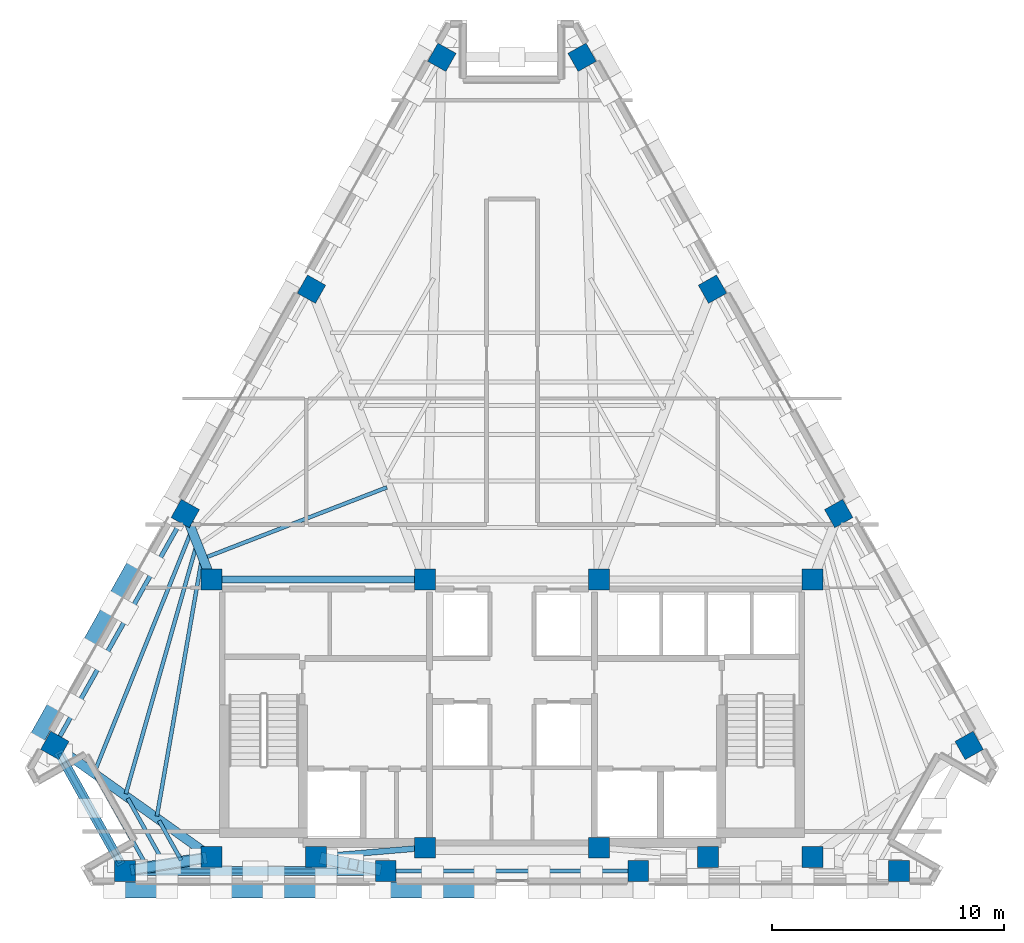
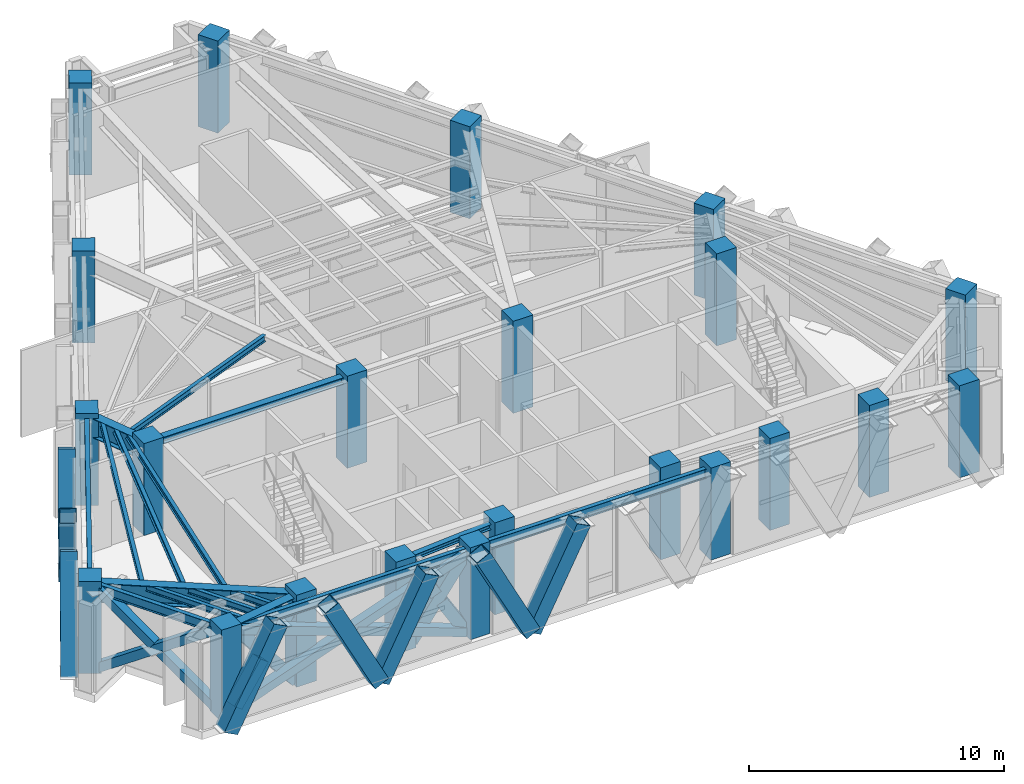
# One storey, part 1 of 11: 22 columns, 20 members, 16 beams.
"""IFC4 building model written with IfcOpenShell, lengths in metres."""

from ifc_helpers import new_model, si_unit, direction, frame, origin, origin_2d, place, context, subcontext, project, spatial, rectangle, hollow_rectangle, i_section, extrude, material, material_profile, profile_set, type_object, element, save


model = new_model("IFC4")

# Units and contexts
model_context = context("Model", 3, precision=1e-05, world=origin(), true_north=direction((0.0, 1.0)))
body_context = subcontext(model_context, "Body", "Model", "MODEL_VIEW")
ifc_project = project(units=[si_unit("LENGTHUNIT", "METRE"), si_unit("AREAUNIT", "SQUARE_METRE"), si_unit("VOLUMEUNIT", "CUBIC_METRE"), si_unit("PLANEANGLEUNIT", "RADIAN"), si_unit("MASSUNIT", "GRAM", prefix="KILO")], contexts=[model_context])

# Site, building, storey
site_placement = place(None, origin())
site = spatial("IfcSite", under=ifc_project, at=site_placement, CompositionType="ELEMENT")
building_placement = place(site_placement, origin())
building = spatial("IfcBuilding", under=site, at=building_placement, Name="Quenlor Broadcast Tower", CompositionType="ELEMENT")
storey_placement = place(building_placement, frame((0.0, 0.0, 179.0)))
storey = spatial("IfcBuildingStorey", under=building, at=storey_placement, Name="L49", CompositionType="ELEMENT", Elevation=179.0)

# Columns
ifc_material_1 = material(Name="Concrete C50/60", Category="concrete")
ifc_material_profile_1 = material_profile(ifc_material_1, rectangle(XDim=0.89990234375, YDim=0.89990234375, at=origin_2d()))
ifc_profile_set_1 = profile_set([ifc_material_profile_1], Name="Concrete C50/60 RC900x900")
column_type_1 = type_object("IfcColumnType", Name="Core Corner Column Upper Concrete C50/60 900", PredefinedType="COLUMN", material=ifc_profile_set_1)
for number, where, z_axis, x_axis, name in (
    (1, (-12.949951171875, -16.75, 0.0), (0.0, 0.0, 1.0), (1.0, 0.0, 0.0), "L49 Core Column CC1"),
    (2, (-8.449951171875, -16.75, 0.0), (0.0, 0.0, 1.0), (1.0, 0.0, 0.0), "L49 Core Column CC2"),
    (3, (-3.75, -16.35009765625, 0.0), (0.0, 0.0, 1.0), (1.0, 0.0, 0.0), "L49 Core Column CC3"),
    (4, (3.75, -16.35009765625, 0.0), (0.0, 0.0, 1.0), (1.0, 0.0, 0.0), "L49 Core Column CC4"),
    (5, (8.449951171875, -16.75, 0.0), (0.0, 0.0, 1.0), (1.0, 0.0, 0.0), "L49 Core Column CC5"),
    (6, (12.949951171875, -16.75, 0.0), (0.0, 0.0, 1.0), (1.0, 0.0, 0.0), "L49 Core Column CC6"),
    (7, (-12.949951171875, -4.800048828125, 0.0), (0.0, 0.0, 1.0), (1.0, 0.0, 0.0), "L49 Core Column CC7"),
    (8, (-3.75, -4.800048828125, 0.0), (0.0, 0.0, 1.0), (1.0, 0.0, 0.0), "L49 Core Column CC8"),
    (9, (3.75, -4.800048828125, 0.0), (0.0, 0.0, 1.0), (1.0, 0.0, 0.0), "L49 Core Column CC9"),
    (10, (12.949951171875, -4.800048828125, 0.0), (0.0, 0.0, 1.0), (1.0, 0.0, 0.0), "L49 Core Column CC10"),
):
    element("IfcColumn", number, at=place(storey_placement, frame(where, z_axis=z_axis, x_axis=x_axis)), inside=storey, type_object=column_type_1, Name=name, PredefinedType="COLUMN", context=body_context, shape_type="SweptSolid", body=[
        extrude(rectangle(XDim=0.89990234375, YDim=0.89990234375, at=origin_2d()), origin(), (0.0, 0.0, 1.0), 4.39990234375),
    ])
ifc_material_2 = material(Name="Concrete C50/60", Category="concrete")
ifc_material_profile_2 = material_profile(ifc_material_2, rectangle(XDim=0.89990234375, YDim=0.89990234375, at=origin_2d()))
ifc_profile_set_2 = profile_set([ifc_material_profile_2], Name="Concrete C50/60 RC900x900")
column_type_2 = type_object("IfcColumnType", Name="Tower Perimeter Column Z4 Concrete C50/60 900", PredefinedType="COLUMN", material=ifc_profile_set_2)
for number, where, z_axis, x_axis, name in (
    (11, (-16.67578125, -17.35009765625, 0.0), (0.0, 0.0, 1.0), (0.0, 1.0, 0.0), "L49 Perimeter Column S1"),
    (12, (-5.437744140625, -17.35009765625, 0.0), (0.0, 0.0, 1.0), (0.0, 1.0, 0.0), "L49 Perimeter Column S2"),
    (13, (5.437744140625, -17.35009765625, 0.0), (0.0, 0.0, 1.0), (0.0, 1.0, 0.0), "L49 Perimeter Column S3"),
    (14, (16.67578125, -17.35009765625, 0.0), (0.0, 0.0, 1.0), (0.0, 1.0, 0.0), "L49 Perimeter Column S4"),
    (15, (19.696533203125, -11.941650390625, 0.0), (0.0, 0.0, 1.0), (0.871575139605, 0.490261946333, 0.0), "L49 Perimeter Column NE1"),
    (16, (14.077392578125, -1.952392578125, 0.0), (0.0, 0.0, 1.0), (0.871575139605, 0.490261946333, 0.0), "L49 Perimeter Column NE2"),
    (17, (8.6396484375, 7.71484375, 0.0), (0.0, 0.0, 1.0), (0.871575139605, 0.490261946333, 0.0), "L49 Perimeter Column NE3"),
    (18, (3.0205078125, 17.704345703125, 0.0), (0.0, 0.0, 1.0), (0.871575139605, 0.490261946333, 0.0), "L49 Perimeter Column NE4"),
    (19, (-3.0205078125, 17.704345703125, 0.0), (0.0, 0.0, 1.0), (-0.871575139605, 0.490261946333, 0.0), "L49 Perimeter Column NW1"),
    (20, (-8.6396484375, 7.71484375, 0.0), (0.0, 0.0, 1.0), (-0.871575139605, 0.490261946333, 0.0), "L49 Perimeter Column NW2"),
    (21, (-14.077392578125, -1.952392578125, 0.0), (0.0, 0.0, 1.0), (-0.871575139605, 0.490261946333, 0.0), "L49 Perimeter Column NW3"),
    (22, (-19.696533203125, -11.941650390625, 0.0), (0.0, 0.0, 1.0), (-0.871575139605, 0.490261946333, 0.0), "L49 Perimeter Column NW4"),
):
    element("IfcColumn", number, at=place(storey_placement, frame(where, z_axis=z_axis, x_axis=x_axis)), inside=storey, type_object=column_type_2, Name=name, PredefinedType="COLUMN", context=body_context, shape_type="SweptSolid", body=[
        extrude(rectangle(XDim=0.89990234375, YDim=0.89990234375, at=origin_2d()), origin(), (0.0, 0.0, 1.0), 4.39990234375),
    ])

# Members
ifc_material_3 = material(Name="Steel S355", Category="steel")
ifc_material_profile_3 = material_profile(ifc_material_3, hollow_rectangle(XDim=0.39990234375, YDim=0.39990234375, WallThickness=0.02197265625, at=origin_2d()))
ifc_profile_set_3 = profile_set([ifc_material_profile_3], Name="Steel S355 RHS400x400x22")
member_type_1 = type_object("IfcMemberType", Name="Belt Truss Diagonal Chord Steel S355 RHS400x22", PredefinedType="CHORD", material=ifc_profile_set_3)
member_1_placement = place(storey_placement, frame((-16.255859375, -17.35009765625, 0.199951171875), z_axis=(0.941269972622, 0.0, 0.337654910583), x_axis=(0.0, 1.0, 0.0)))
element("IfcMember", 23, at=member_1_placement, inside=storey, type_object=member_type_1, Name="L49 Belt Truss Continuous Chord 1A", PredefinedType="CHORD", context=body_context, shape_type="SweptSolid", body=[
    extrude(hollow_rectangle(XDim=0.39990234375, YDim=0.39990234375, WallThickness=0.02197265625, at=origin_2d()), origin(), (0.0, 0.0, 1.0), 11.046630859375),
])
member_2_placement = place(storey_placement, frame((-16.255859375, -17.35009765625, 3.929931640625), z_axis=(0.941276009802, 0.0, -0.33763808045), x_axis=(0.0, 1.0, 0.0)))
element("IfcMember", 24, at=member_2_placement, inside=storey, type_object=member_type_1, Name="L49 Belt Truss Split Chord 1B1", PredefinedType="CHORD", context=body_context, shape_type="SweptSolid", body=[
    extrude(hollow_rectangle(XDim=0.39990234375, YDim=0.39990234375, WallThickness=0.02197265625, at=origin_2d()), origin(), (0.0, 0.0, 1.0), 5.33349609375),
])
member_3_placement = place(storey_placement, frame((-10.8779296875, -17.35009765625, 2.000732421875), z_axis=(0.941270791113, 0.0, -0.337652628891), x_axis=(0.0, 1.0, 0.0)))
element("IfcMember", 25, at=member_3_placement, inside=storey, type_object=member_type_1, Name="L49 Belt Truss Split Chord 1B2", PredefinedType="CHORD", context=body_context, shape_type="SweptSolid", body=[
    extrude(hollow_rectangle(XDim=0.39990234375, YDim=0.39990234375, WallThickness=0.02197265625, at=origin_2d()), origin(), (0.0, 0.0, 1.0), 5.333251953125),
])
member_4_placement = place(storey_placement, frame((-19.49169921875, -12.308349609375, 0.199951171875), z_axis=(0.400114582644, -0.716390289205, 0.571570882995), x_axis=(0.873058236645, 0.48761595075, 0.0)))
element("IfcMember", 26, at=member_4_placement, inside=storey, type_object=member_type_1, Name="L49 Belt Truss Continuous Chord 12A", PredefinedType="CHORD", context=body_context, shape_type="SweptSolid", body=[
    extrude(hollow_rectangle(XDim=0.39990234375, YDim=0.39990234375, WallThickness=0.02197265625, at=origin_2d()), origin(), (0.0, 0.0, 1.0), 6.52587890625),
])
for number, where, z_axis, x_axis, name in (
    (27, (-19.49169921875, -12.308349609375, 3.929931640625), (0.40010966598, -0.716399693832, -0.571562537144), (0.873063512561, 0.487606504298, 0.0), "L49 Belt Truss Split Chord 12B1"),
    (28, (-18.110107421875, -14.781982421875, 1.956298828125), (0.40010966598, -0.716399693832, -0.571562537144), (0.873063512561, 0.487606504298, 0.0), "L49 Belt Truss Split Chord 12B2"),
):
    element("IfcMember", number, at=place(storey_placement, frame(where, z_axis=z_axis, x_axis=x_axis)), inside=storey, type_object=member_type_1, Name=name, PredefinedType="CHORD", context=body_context, shape_type="SweptSolid", body=[
        extrude(hollow_rectangle(XDim=0.39990234375, YDim=0.39990234375, WallThickness=0.02197265625, at=origin_2d()), origin(), (0.0, 0.0, 1.0), 3.072998046875),
    ])

# Beams
ifc_material_4 = material(Name="Steel S355", Category="steel")
ifc_material_profile_4 = material_profile(ifc_material_4, i_section(OverallWidth=0.25390625, OverallDepth=0.25390625, WebThickness=0.008544921875, FlangeThickness=0.01416015625, FilletRadius=0.013916015625, at=origin_2d()))
ifc_profile_set_4 = profile_set([ifc_material_profile_4], Name="Steel S355 250UC72.9")
beam_type_1 = type_object("IfcBeamType", Name="Core Opening Lintel Beam Steel S355 250UC72.9", PredefinedType="LINTEL", material=ifc_profile_set_4)
beam_1_placement = place(storey_placement, frame((-8.09130859375, -16.719482421875, 4.023193359375), z_axis=(0.996399763903, 0.084779186679, 0.0), x_axis=(-0.084779186679, 0.996399763903, 0.0)))
element("IfcBeam", 29, at=beam_1_placement, inside=storey, type_object=beam_type_1, Name="L49 Core Opening Lintel Beam 4", PredefinedType="LINTEL", context=body_context, shape_type="SweptSolid", body=[
    extrude(i_section(OverallWidth=0.25390625, OverallDepth=0.25390625, WebThickness=0.008544921875, FlangeThickness=0.01416015625, FilletRadius=0.013916015625, at=origin_2d()), origin(), (0.0, 0.0, 1.0), 3.9970703125),
])
ifc_material_5 = material(Name="Steel S355", Category="steel")
ifc_material_profile_5 = material_profile(ifc_material_5, i_section(OverallWidth=0.306884765625, OverallDepth=0.314697265625, WebThickness=0.011962890625, FlangeThickness=0.018798828125, FilletRadius=0.0166015625, at=origin_2d()))
ifc_profile_set_5 = profile_set([ifc_material_profile_5], Name="Steel S355 310UC118")
beam_type_2 = type_object("IfcBeamType", Name="Core Tie Beam Steel S355 310UC118", PredefinedType="BEAM", material=ifc_profile_set_5)
beam_2_placement = place(storey_placement, frame((-12.590087890625, -4.800048828125, 3.99267578125), z_axis=(1.0, 0.0, 0.0), x_axis=(0.0, 1.0, 0.0)))
element("IfcBeam", 30, at=beam_2_placement, inside=storey, type_object=beam_type_2, Name="L49 Core Tie Beam 1", PredefinedType="BEAM", context=body_context, shape_type="SweptSolid", body=[
    extrude(i_section(OverallWidth=0.306884765625, OverallDepth=0.314697265625, WebThickness=0.011962890625, FlangeThickness=0.018798828125, FilletRadius=0.0166015625, at=origin_2d()), origin(), (0.0, 0.0, 1.0), 8.47998046875),
])
ifc_material_6 = material(Name="Steel S355", Category="steel")
ifc_material_profile_6 = material_profile(ifc_material_6, i_section(OverallWidth=0.39990234375, OverallDepth=0.924072265625, WebThickness=0.01611328125, FlangeThickness=0.028076171875, FilletRadius=0.01611328125, at=origin_2d()))
ifc_profile_set_6 = profile_set([ifc_material_profile_6], Name="Steel S355 900WB282")
beam_type_3 = type_object("IfcBeamType", Name="Outrigger Level Collector Girder Steel S355 900WB282", PredefinedType="BEAM", material=ifc_profile_set_6)
beam_3_placement = place(storey_placement, frame((-16.27099609375, -17.284912109375, 3.68798828125), z_axis=(0.987268490875, 0.159062650942, 0.0), x_axis=(-0.159062650942, 0.987268490875, 0.0)))
element("IfcBeam", 31, at=beam_3_placement, inside=storey, type_object=beam_type_3, Name="L49 Primary Radial Beam S1", PredefinedType="BEAM", context=body_context, shape_type="SweptSolid", body=[
    extrude(i_section(OverallWidth=0.39990234375, OverallDepth=0.924072265625, WebThickness=0.01611328125, FlangeThickness=0.028076171875, FilletRadius=0.01611328125, at=origin_2d()), origin(), (0.0, 0.0, 1.0), 2.98388671875),
])
beam_4_placement = place(storey_placement, frame((-13.926513671875, -2.33349609375, 3.68798828125), z_axis=(0.368110359783, -0.92978210513, 0.0), x_axis=(0.92978210513, 0.368110359783, 0.0)))
element("IfcBeam", 32, at=beam_4_placement, inside=storey, type_object=beam_type_3, Name="L49 Primary Radial Beam NW3", PredefinedType="BEAM", context=body_context, shape_type="SweptSolid", body=[
    extrude(i_section(OverallWidth=0.39990234375, OverallDepth=0.924072265625, WebThickness=0.01611328125, FlangeThickness=0.028076171875, FilletRadius=0.01611328125, at=origin_2d()), origin(), (0.0, 0.0, 1.0), 2.27294921875),
])
beam_5_placement = place(storey_placement, frame((-19.362548828125, -12.1796875, 3.68798828125), z_axis=(0.814329531787, -0.580402802938, 0.0), x_axis=(0.580402802938, 0.814329531787, 0.0)))
element("IfcBeam", 33, at=beam_5_placement, inside=storey, type_object=beam_type_3, Name="L49 Primary Radial Beam NW4", PredefinedType="BEAM", context=body_context, shape_type="SweptSolid", body=[
    extrude(i_section(OverallWidth=0.39990234375, OverallDepth=0.924072265625, WebThickness=0.01611328125, FlangeThickness=0.028076171875, FilletRadius=0.01611328125, at=origin_2d()), origin(), (0.0, 0.0, 1.0), 7.49462890625),
])

# Members
ifc_material_7 = material(Name="Steel S355", Category="steel")
ifc_material_profile_7 = material_profile(ifc_material_7, hollow_rectangle(XDim=0.679931640625, YDim=0.679931640625, WallThickness=0.02490234375, at=origin_2d()))
ifc_profile_set_7 = profile_set([ifc_material_profile_7], Name="Steel S355 RHS680x680x25")
member_type_2 = type_object("IfcMemberType", Name="Perimeter Diagonal Lattice Brace Z3-Z4 Steel S355 RHS680x25", PredefinedType="BRACE", material=ifc_profile_set_7)
for number, where, z_axis, x_axis, name in (
    (34, (-3.41162109375, -18.169921875, -0.1201171875), (0.456255502185, 0.0, 0.889848816781), (0.0, 1.0, 0.0), "L49 Perimeter Diamond Lattice S-C3B"),
    (35, (-3.43896484375, -18.169921875, -0.1201171875), (-0.456255502185, 0.0, 0.889848816781), (0.0, -1.0, 0.0), "L49 Perimeter Diamond Lattice S-C4S"),
    (36, (-10.261962890625, -18.169921875, -0.1201171875), (0.456255502185, 0.0, 0.889848816781), (0.0, 1.0, 0.0), "L49 Perimeter Diamond Lattice S-C4B"),
    (37, (-10.289306640625, -18.169921875, -0.1201171875), (-0.456255502185, 0.0, 0.889848816781), (0.0, -1.0, 0.0), "L49 Perimeter Diamond Lattice S-C5S"),
    (38, (-17.1123046875, -18.169921875, -0.1201171875), (0.456255502185, 0.0, 0.889848816781), (0.0, 1.0, 0.0), "L49 Perimeter Diamond Lattice S-C5B"),
):
    element("IfcMember", number, at=place(storey_placement, frame(where, z_axis=z_axis, x_axis=x_axis)), inside=storey, type_object=member_type_2, Name=name, PredefinedType="BRACE", context=body_context, shape_type="SweptSolid", body=[
        extrude(hollow_rectangle(XDim=0.679931640625, YDim=0.679931640625, WallThickness=0.02490234375, at=origin_2d()), origin(), (0.0, 0.0, 1.0), 4.94482421875),
    ])
member_5_placement = place(storey_placement, frame((-20.63916015625, -11.94482421875, -0.1201171875), z_axis=(0.227397757303, 0.404213523195, 0.885946774722), x_axis=(-0.871550060774, 0.49030652817, 0.0)))
element("IfcMember", 39, at=member_5_placement, inside=storey, type_object=member_type_2, Name="L49 Perimeter Diamond Lattice NW-C1S", PredefinedType="BRACE", context=body_context, shape_type="SweptSolid", body=[
    extrude(hollow_rectangle(XDim=0.679931640625, YDim=0.679931640625, WallThickness=0.02490234375, at=origin_2d()), origin(), (0.0, 0.0, 1.0), 4.966552734375),
])
member_6_placement = place(storey_placement, frame((-17.2236328125, -5.873046875, -0.1201171875), z_axis=(-0.227393238836, -0.40425464682, 0.885929170677), x_axis=(0.871575537125, -0.490261239633, 0.0)))
element("IfcMember", 40, at=member_6_placement, inside=storey, type_object=member_type_2, Name="L49 Perimeter Diamond Lattice NW-C1B", PredefinedType="BRACE", context=body_context, shape_type="SweptSolid", body=[
    extrude(hollow_rectangle(XDim=0.679931640625, YDim=0.679931640625, WallThickness=0.02490234375, at=origin_2d()), origin(), (0.0, 0.0, 1.0), 4.966796875),
])
member_7_placement = place(storey_placement, frame((-17.2099609375, -5.8486328125, -0.1201171875), z_axis=(0.227397757303, 0.404213523195, 0.885946774722), x_axis=(-0.871550060774, 0.49030652817, 0.0)))
element("IfcMember", 41, at=member_7_placement, inside=storey, type_object=member_type_2, Name="L49 Perimeter Diamond Lattice NW-C2S", PredefinedType="BRACE", context=body_context, shape_type="SweptSolid", body=[
    extrude(hollow_rectangle(XDim=0.679931640625, YDim=0.679931640625, WallThickness=0.02490234375, at=origin_2d()), origin(), (0.0, 0.0, 1.0), 4.966552734375),
])

# Beams
ifc_material_8 = material(Name="Steel S355", Category="steel")
ifc_material_profile_8 = material_profile(ifc_material_8, i_section(OverallWidth=0.18994140625, OverallDepth=0.453857421875, WebThickness=0.008544921875, FlangeThickness=0.0126953125, FilletRadius=0.011474609375, at=origin_2d()))
ifc_profile_set_8 = profile_set([ifc_material_profile_8], Name="Steel S355 460UB67.1")
beam_type_4 = type_object("IfcBeamType", Name="Perimeter Spandrel Beam Z4 Steel S355 460UB67.1", PredefinedType="SPANDREL", material=ifc_profile_set_8)
beam_6_placement = place(storey_placement, frame((-16.265869140625, -17.35009765625, 3.923095703125), z_axis=(1.0, 0.0, 0.0), x_axis=(0.0, 1.0, 0.0)))
element("IfcBeam", 42, at=beam_6_placement, inside=storey, type_object=beam_type_4, Name="L49 Spandrel Beam S1-S2", PredefinedType="SPANDREL", context=body_context, shape_type="SweptSolid", body=[
    extrude(i_section(OverallWidth=0.18994140625, OverallDepth=0.453857421875, WebThickness=0.008544921875, FlangeThickness=0.0126953125, FilletRadius=0.011474609375, at=origin_2d()), origin(), (0.0, 0.0, 1.0), 10.41796875),
])
beam_7_placement = place(storey_placement, frame((-5.02783203125, -17.35009765625, 3.923095703125), z_axis=(1.0, 0.0, 0.0), x_axis=(0.0, 1.0, 0.0)))
element("IfcBeam", 43, at=beam_7_placement, inside=storey, type_object=beam_type_4, Name="L49 Spandrel Beam S2-S3", PredefinedType="SPANDREL", context=body_context, shape_type="SweptSolid", body=[
    extrude(i_section(OverallWidth=0.18994140625, OverallDepth=0.453857421875, WebThickness=0.008544921875, FlangeThickness=0.0126953125, FilletRadius=0.011474609375, at=origin_2d()), origin(), (0.0, 0.0, 1.0), 10.0556640625),
])
beam_8_placement = place(storey_placement, frame((-14.2783203125, -2.3095703125, 3.923095703125), z_axis=(-0.490272131974, -0.871569410093, 0.0), x_axis=(0.871569410093, -0.490272131974, 0.0)))
element("IfcBeam", 44, at=beam_8_placement, inside=storey, type_object=beam_type_4, Name="L49 Spandrel Beam NW3-NW4", PredefinedType="SPANDREL", context=body_context, shape_type="SweptSolid", body=[
    extrude(i_section(OverallWidth=0.18994140625, OverallDepth=0.453857421875, WebThickness=0.008544921875, FlangeThickness=0.0126953125, FilletRadius=0.011474609375, at=origin_2d()), origin(), (0.0, 0.0, 1.0), 10.6416015625),
])
beam_9_placement = place(storey_placement, frame((-19.49658203125, -12.2998046875, 3.923095703125), z_axis=(0.487647250206, -0.8730407547, 0.0), x_axis=(0.8730407547, 0.487647250206, 0.0)))
element("IfcBeam", 45, at=beam_9_placement, inside=storey, type_object=beam_type_4, Name="L49 Spandrel Beam NW4-S1", PredefinedType="SPANDREL", context=body_context, shape_type="SweptSolid", body=[
    extrude(i_section(OverallWidth=0.18994140625, OverallDepth=0.453857421875, WebThickness=0.008544921875, FlangeThickness=0.0126953125, FilletRadius=0.011474609375, at=origin_2d()), origin(), (0.0, 0.0, 1.0), 5.37451171875),
])
ifc_material_9 = material(Name="Steel S355", Category="steel")
ifc_material_profile_9 = material_profile(ifc_material_9, i_section(OverallWidth=0.166015625, OverallDepth=0.30712890625, WebThickness=0.006591796875, FlangeThickness=0.01171875, FilletRadius=0.011474609375, at=origin_2d()))
ifc_profile_set_9 = profile_set([ifc_material_profile_9], Name="Steel S355 310UB46.2")
beam_type_5 = type_object("IfcBeamType", Name="Tower Composite Joist Z4-Z5 Steel S355 310UB46.2", PredefinedType="JOIST", material=ifc_profile_set_9)
beam_10_placement = place(storey_placement, frame((-13.236083984375, -3.85986328125, 3.996337890625), z_axis=(0.932639299023, 0.360810113381, 0.0), x_axis=(-0.360810113381, 0.932639299023, 0.0)))
element("IfcBeam", 46, at=beam_10_placement, inside=storey, type_object=beam_type_5, Name="L49 Secondary Composite Joist 7", PredefinedType="JOIST", context=body_context, shape_type="SweptSolid", body=[
    extrude(i_section(OverallWidth=0.166015625, OverallDepth=0.30712890625, WebThickness=0.006591796875, FlangeThickness=0.01171875, FilletRadius=0.011474609375, at=origin_2d()), origin(), (0.0, 0.0, 1.0), 8.413330078125),
])
beam_11_placement = place(storey_placement, frame((-15.297607421875, -14.98828125, 3.996337890625), z_axis=(0.172003691938, 0.985096304916, 0.0), x_axis=(-0.985096304916, 0.172003691938, 0.0)))
element("IfcBeam", 47, at=beam_11_placement, inside=storey, type_object=beam_type_5, Name="L49 Secondary Composite Joist 13", PredefinedType="JOIST", context=body_context, shape_type="SweptSolid", body=[
    extrude(i_section(OverallWidth=0.166015625, OverallDepth=0.30712890625, WebThickness=0.006591796875, FlangeThickness=0.01171875, FilletRadius=0.011474609375, at=origin_2d()), origin(), (0.0, 0.0, 1.0), 11.274169921875),
])
beam_12_placement = place(storey_placement, frame((-16.638671875, -14.028564453125, 3.996337890625), z_axis=(0.273447576454, 0.961886907558, 0.0), x_axis=(-0.961886907558, 0.273447576454, 0.0)))
element("IfcBeam", 48, at=beam_12_placement, inside=storey, type_object=beam_type_5, Name="L49 Secondary Composite Joist 14", PredefinedType="JOIST", context=body_context, shape_type="SweptSolid", body=[
    extrude(i_section(OverallWidth=0.166015625, OverallDepth=0.30712890625, WebThickness=0.006591796875, FlangeThickness=0.01171875, FilletRadius=0.011474609375, at=origin_2d()), origin(), (0.0, 0.0, 1.0), 11.142333984375),
])
beam_13_placement = place(storey_placement, frame((-17.97998046875, -13.069580078125, 3.996337890625), z_axis=(0.373094895103, 0.927793187757, 0.0), x_axis=(-0.927793187757, 0.373094895103, 0.0)))
element("IfcBeam", 49, at=beam_13_placement, inside=storey, type_object=beam_type_5, Name="L49 Secondary Composite Joist 15", PredefinedType="JOIST", context=body_context, shape_type="SweptSolid", body=[
    extrude(i_section(OverallWidth=0.166015625, OverallDepth=0.30712890625, WebThickness=0.006591796875, FlangeThickness=0.01171875, FilletRadius=0.011474609375, at=origin_2d()), origin(), (0.0, 0.0, 1.0), 11.13525390625),
])
beam_14_placement = place(storey_placement, frame((-14.255859375, -16.88427734375, 3.996337890625), z_axis=(-0.487590799665, 0.873072283423, 0.0), x_axis=(-0.873072283423, -0.487590799665, 0.0)))
element("IfcBeam", 50, at=beam_14_placement, inside=storey, type_object=beam_type_5, Name="L49 Secondary Composite Joist 19", PredefinedType="JOIST", context=body_context, shape_type="SweptSolid", body=[
    extrude(i_section(OverallWidth=0.166015625, OverallDepth=0.30712890625, WebThickness=0.006591796875, FlangeThickness=0.01171875, FilletRadius=0.011474609375, at=origin_2d()), origin(), (0.0, 0.0, 1.0), 1.9462890625),
])
beam_15_placement = place(storey_placement, frame((-15.0009765625, -17.004150390625, 3.996337890625), z_axis=(-0.487646119388, 0.87304138633, 0.0), x_axis=(-0.87304138633, -0.487646119388, 0.0)))
element("IfcBeam", 51, at=beam_15_placement, inside=storey, type_object=beam_type_5, Name="L49 Secondary Composite Joist 20", PredefinedType="JOIST", context=body_context, shape_type="SweptSolid", body=[
    extrude(i_section(OverallWidth=0.166015625, OverallDepth=0.30712890625, WebThickness=0.006591796875, FlangeThickness=0.01171875, FilletRadius=0.011474609375, at=origin_2d()), origin(), (0.0, 0.0, 1.0), 3.18505859375),
])
beam_16_placement = place(storey_placement, frame((-15.74609375, -17.124267578125, 3.996337890625), z_axis=(-0.487604899573, 0.873064408799, 0.0), x_axis=(-0.873064408799, -0.487604899573, 0.0)))
element("IfcBeam", 52, at=beam_16_placement, inside=storey, type_object=beam_type_5, Name="L49 Secondary Composite Joist 21", PredefinedType="JOIST", context=body_context, shape_type="SweptSolid", body=[
    extrude(i_section(OverallWidth=0.166015625, OverallDepth=0.30712890625, WebThickness=0.006591796875, FlangeThickness=0.01171875, FilletRadius=0.011474609375, at=origin_2d()), origin(), (0.0, 0.0, 1.0), 4.424072265625),
])

# Members
ifc_material_10 = material(Name="Steel S355", Category="steel")
ifc_material_profile_10 = material_profile(ifc_material_10, hollow_rectangle(XDim=0.5, YDim=0.5, WallThickness=0.028076171875, at=origin_2d()))
ifc_profile_set_10 = profile_set([ifc_material_profile_10], Name="Steel S355 RHS500x500x28")
member_type_3 = type_object("IfcMemberType", Name="Upper Outrigger Truss Strut Steel S355 RHS500x28", PredefinedType="STRUT", material=ifc_profile_set_10)
member_8_placement = place(storey_placement, frame((-13.344970703125, -16.813720703125, 0.199951171875), z_axis=(-0.612928310337, -0.098674017646, 0.783953011748), x_axis=(0.158941386656, -0.987288020594, 0.0)))
element("IfcMember", 53, at=member_8_placement, inside=storey, type_object=member_type_3, Name="L49 Outrigger Continuous Strut 1A", PredefinedType="STRUT", context=body_context, shape_type="SweptSolid", body=[
    extrude(hollow_rectangle(XDim=0.5, YDim=0.5, WallThickness=0.028076171875, at=origin_2d()), origin(), (0.0, 0.0, 1.0), 4.7578125),
])
member_9_placement = place(storey_placement, frame((-13.344970703125, -16.813720703125, 3.929931640625), z_axis=(-0.612951645808, -0.098617614191, -0.783941863962), x_axis=(0.158846931741, -0.987303222053, 0.0)))
element("IfcMember", 54, at=member_9_placement, inside=storey, type_object=member_type_3, Name="L49 Outrigger Split Strut 1B1", PredefinedType="STRUT", context=body_context, shape_type="SweptSolid", body=[
    extrude(hollow_rectangle(XDim=0.5, YDim=0.5, WallThickness=0.028076171875, at=origin_2d()), origin(), (0.0, 0.0, 1.0), 2.14892578125),
])
member_10_placement = place(storey_placement, frame((-14.944091796875, -17.071044921875, 1.884765625), z_axis=(-0.612890185385, -0.098721329212, -0.783976861787), x_axis=(0.159025309733, -0.987274506338, 0.0)))
element("IfcMember", 55, at=member_10_placement, inside=storey, type_object=member_type_3, Name="L49 Outrigger Split Strut 1B2", PredefinedType="STRUT", context=body_context, shape_type="SweptSolid", body=[
    extrude(hollow_rectangle(XDim=0.5, YDim=0.5, WallThickness=0.028076171875, at=origin_2d()), origin(), (0.0, 0.0, 1.0), 2.149169921875),
])
member_11_placement = place(storey_placement, frame((-8.0576171875, -16.828125, 0.199951171875), z_axis=(0.50679717214, -0.100978383923, 0.856130826621), x_axis=(0.195407059707, 0.980722224188, 0.0)))
element("IfcMember", 56, at=member_11_placement, inside=storey, type_object=member_type_3, Name="L49 Outrigger Continuous Strut 3A", PredefinedType="STRUT", context=body_context, shape_type="SweptSolid", body=[
    extrude(hollow_rectangle(XDim=0.5, YDim=0.5, WallThickness=0.028076171875, at=origin_2d()), origin(), (0.0, 0.0, 1.0), 4.356689453125),
])
member_12_placement = place(storey_placement, frame((-8.0576171875, -16.828125, 3.929931640625), z_axis=(0.506769320618, -0.101002985267, -0.856144411094), x_axis=(0.195463179726, 0.98071104071, 0.0)))
element("IfcMember", 57, at=member_12_placement, inside=storey, type_object=member_type_3, Name="L49 Outrigger Split Strut 3B1", PredefinedType="STRUT", context=body_context, shape_type="SweptSolid", body=[
    extrude(hollow_rectangle(XDim=0.5, YDim=0.5, WallThickness=0.028076171875, at=origin_2d()), origin(), (0.0, 0.0, 1.0), 1.9482421875),
])
member_13_placement = place(storey_placement, frame((-6.837158203125, -17.0712890625, 1.8681640625), z_axis=(0.506808075162, -0.100985737597, -0.856123504964), x_axis=(0.195416703087, 0.980720302714, 0.0)))
element("IfcMember", 58, at=member_13_placement, inside=storey, type_object=member_type_3, Name="L49 Outrigger Split Strut 3B2", PredefinedType="STRUT", context=body_context, shape_type="SweptSolid", body=[
    extrude(hollow_rectangle(XDim=0.5, YDim=0.5, WallThickness=0.028076171875, at=origin_2d()), origin(), (0.0, 0.0, 1.0), 1.948486328125),
])

save(model, "model.ifc")
